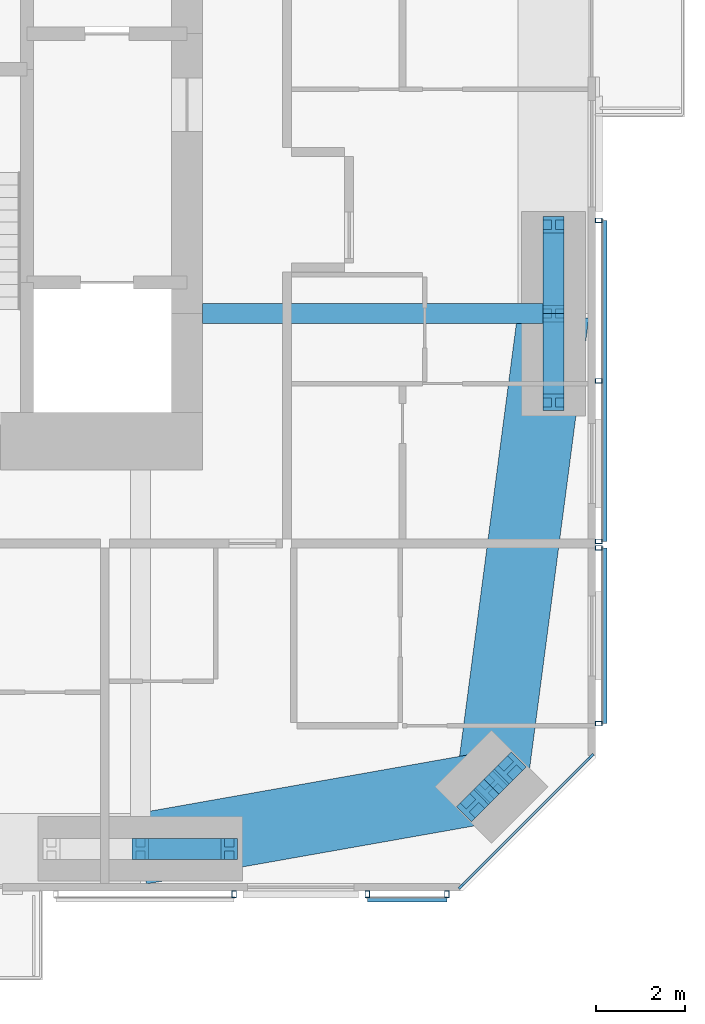
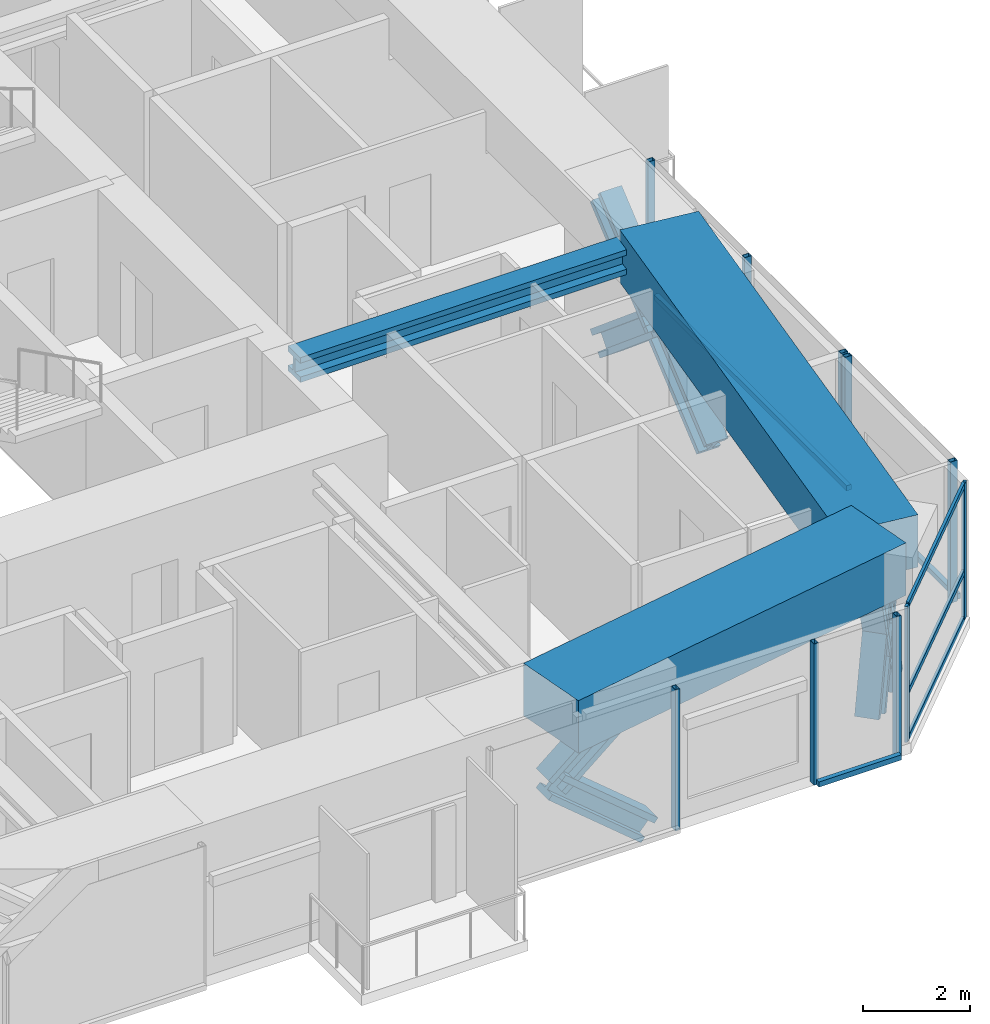
# One storey, part 7 of 23: 26 members, 3 beams, 5 elements without a shape of their own.
"""IFC4 building model written with IfcOpenShell, lengths in metres."""

from ifc_helpers import new_model, si_unit, direction, frame, origin, origin_2d, place, context, subcontext, project, spatial, rectangle, hollow_rectangle, i_section, extrude, material, material_profile, profile_set, type_object, element, aggregate, save


model = new_model("IFC4")

# Units and contexts
model_context = context("Model", 3, precision=1e-05, world=origin(), true_north=direction((0.0, 1.0)))
body_context = subcontext(model_context, "Body", "Model", "MODEL_VIEW")
ifc_project = project(units=[si_unit("LENGTHUNIT", "METRE"), si_unit("AREAUNIT", "SQUARE_METRE"), si_unit("VOLUMEUNIT", "CUBIC_METRE"), si_unit("PLANEANGLEUNIT", "RADIAN"), si_unit("MASSUNIT", "GRAM", prefix="KILO")], contexts=[model_context])

# Site, building, storey
site_placement = place(None, origin())
site = spatial("IfcSite", under=ifc_project, at=site_placement, CompositionType="ELEMENT")
building_placement = place(site_placement, origin())
building = spatial("IfcBuilding", under=site, at=building_placement, Name="Jalousie Tower", CompositionType="ELEMENT")
storey_placement = place(building_placement, frame((0.0, 0.0, 167.75)))
storey = spatial("IfcBuildingStorey", under=building, at=storey_placement, Name="L45", CompositionType="ELEMENT", Elevation=167.75)

# Curtain wall, members
ifc_material_1 = material(Name="Aluminium curtain wall", Category="aluminium")
curtain_wall_type_1 = type_object("IfcCurtainWallType", Name="CORNER WINDOW WALL", PredefinedType="USERDEFINED", material=ifc_material_1)
curtain_wall_1_placement = place(storey_placement, origin())
curtain_wall_1 = element("IfcCurtainWall", 1, at=curtain_wall_1_placement, inside=storey, type_object=curtain_wall_type_1, Name="Corner Window Wall L45 2", ObjectType="CORNER WINDOW WALL", PredefinedType="USERDEFINED")
ifc_material_2 = material(Name="Aluminium mullion", Category="aluminium")
ifc_material_profile_1 = material_profile(ifc_material_2, rectangle(XDim=0.06005859375, YDim=0.14990234375, at=origin_2d()), Name="MULLION 60x150")
ifc_profile_set_1 = profile_set([ifc_material_profile_1], Name="Aluminium mullion")
member_type_1 = type_object("IfcMemberType", Name="CORNER WINDOW WALL MULLION", PredefinedType="MULLION", material=ifc_profile_set_1)
member_1_placement = place(storey_placement, frame((49.969970703125, 0.108642578125, 0.0), z_axis=(0.0, 0.0, 1.0), x_axis=(-0.707106781187, 0.707106781187, 0.0)))
member_1 = element("IfcMember", 2, at=member_1_placement, type_object=member_type_1, Name="CW-C mullion 1", PredefinedType="MULLION", context=body_context, shape_type="SweptSolid", body=[
    extrude(rectangle(XDim=0.06005859375, YDim=0.14990234375, at=origin_2d()), origin(), (0.0, 0.0, 1.0), 3.110107421875),
])
member_2_placement = place(storey_placement, frame((52.891357421875, 3.030029296875, 0.0), z_axis=(0.0, 0.0, 1.0), x_axis=(-0.707106781187, 0.707106781187, 0.0)))
member_2 = element("IfcMember", 3, at=member_2_placement, type_object=member_type_1, Name="CW-C mullion 2", PredefinedType="MULLION", context=body_context, shape_type="SweptSolid", body=[
    extrude(rectangle(XDim=0.06005859375, YDim=0.14990234375, at=origin_2d()), origin(), (0.0, 0.0, 1.0), 3.110107421875),
])
ifc_material_3 = material(Name="Aluminium transom", Category="aluminium")
ifc_material_profile_2 = material_profile(ifc_material_3, rectangle(XDim=0.06005859375, YDim=0.1201171875, at=origin_2d()), Name="TRANSOM 60x120")
ifc_profile_set_2 = profile_set([ifc_material_profile_2], Name="Aluminium transom")
member_type_2 = type_object("IfcMemberType", Name="CORNER WINDOW WALL TRANSOM", PredefinedType="USERDEFINED", material=ifc_profile_set_2)
member_3_placement = place(storey_placement, frame((49.9912109375, 0.1298828125, 0.030029296875), z_axis=(0.707106781187, 0.707106781187, 0.0), x_axis=(-0.707106781187, 0.707106781187, 0.0)))
member_3 = element("IfcMember", 4, at=member_3_placement, type_object=member_type_2, Name="CW-C transom 1.1", ObjectType="TRANSOM", PredefinedType="USERDEFINED", context=body_context, shape_type="SweptSolid", body=[
    extrude(rectangle(XDim=0.06005859375, YDim=0.1201171875, at=origin_2d()), origin(), (0.0, 0.0, 1.0), 4.0712890625),
])
member_4_placement = place(storey_placement, frame((49.9912109375, 0.1298828125, 1.10009765625), z_axis=(0.707106781187, 0.707106781187, 0.0), x_axis=(-0.707106781187, 0.707106781187, 0.0)))
member_4 = element("IfcMember", 5, at=member_4_placement, type_object=member_type_2, Name="CW-C transom 1.2", ObjectType="TRANSOM", PredefinedType="USERDEFINED", context=body_context, shape_type="SweptSolid", body=[
    extrude(rectangle(XDim=0.06005859375, YDim=0.1201171875, at=origin_2d()), origin(), (0.0, 0.0, 1.0), 4.0712890625),
])
member_5_placement = place(storey_placement, frame((49.9912109375, 0.1298828125, 3.080078125), z_axis=(0.707106781187, 0.707106781187, 0.0), x_axis=(-0.707106781187, 0.707106781187, 0.0)))
member_5 = element("IfcMember", 6, at=member_5_placement, type_object=member_type_2, Name="CW-C transom 1.3", ObjectType="TRANSOM", PredefinedType="USERDEFINED", context=body_context, shape_type="SweptSolid", body=[
    extrude(rectangle(XDim=0.06005859375, YDim=0.1201171875, at=origin_2d()), origin(), (0.0, 0.0, 1.0), 4.0712890625),
])
aggregate(curtain_wall_1, [member_1, member_2, member_3, member_4, member_5])

# Beam
ifc_material_4 = material(Name="Steel ASTM A992 Grade 50", Category="steel")
ifc_material_profile_3 = material_profile(ifc_material_4, i_section(OverallWidth=0.45458984375, OverallDepth=0.569091796875, WebThickness=0.077880859375, FlangeThickness=0.124755859375, at=origin_2d()), Name="W14X730")
ifc_profile_set_3 = profile_set([ifc_material_profile_3], Name="Steel ASTM A992 Grade 50")
beam_type_1 = type_object("IfcBeamType", Name="LEAN COLLECTOR W14X730", PredefinedType="BEAM", material=ifc_profile_set_3)
beam_1_placement = place(storey_placement, frame((52.050048828125, 13.0, 2.825439453125), z_axis=(-1.0, 0.0, 0.0), x_axis=(0.0, -1.0, 0.0)))
element("IfcBeam", 7, at=beam_1_placement, inside=storey, type_object=beam_type_1, Name="Lean collector under L46", PredefinedType="BEAM", context=body_context, shape_type="SweptSolid", body=[
    extrude(i_section(OverallWidth=0.45458984375, OverallDepth=0.569091796875, WebThickness=0.077880859375, FlangeThickness=0.124755859375, at=origin_2d()), origin(), (0.0, 0.0, 1.0), 7.900146484375),
])

# Members
ifc_material_5 = material(Name="Steel ASTM A992 Grade 50", Category="steel")
ifc_material_profile_4 = material_profile(ifc_material_5, i_section(OverallWidth=0.472412109375, OverallDepth=0.5791015625, WebThickness=0.094970703125, FlangeThickness=0.1298828125, at=origin_2d()), Name="W14X808")
ifc_profile_set_4 = profile_set([ifc_material_profile_4], Name="Steel ASTM A992 Grade 50")
member_type_3 = type_object("IfcMemberType", Name="PERIMETER BRACE W14X808", PredefinedType="BRACE", material=ifc_profile_set_4)
for number, where, z_axis, x_axis, name in (
    (8, (42.75, 0.949951171875, 1.074951171875), (0.766638753323, 0.0, 0.642078672674), (0.0, 1.0, 0.0), "Perimeter brace 04 L45 part 2"),
    (9, (44.75, 0.949951171875, -0.60009765625), (-0.766638753323, 0.0, 0.642078672674), (0.0, -1.0, 0.0), "Perimeter brace 04 L45 part 3"),
):
    element("IfcMember", number, at=place(storey_placement, frame(where, z_axis=z_axis, x_axis=x_axis)), inside=storey, type_object=member_type_3, Name=name, PredefinedType="BRACE", context=body_context, shape_type="SweptSolid", body=[
        extrude(i_section(OverallWidth=0.472412109375, OverallDepth=0.5791015625, WebThickness=0.094970703125, FlangeThickness=0.1298828125, at=origin_2d()), origin(), (0.0, 0.0, 1.0), 2.60888671875),
    ])
for number, where, z_axis, x_axis, name in (
    (10, (50.227294921875, 1.92431640625, -0.60009765625), (0.238482757655, 0.238345540878, 0.941444303953), (-0.706903267951, 0.707310235866, 0.0), "Perimeter brace 05 L45 part 1"),
    (11, (50.651611328125, 2.348388671875, 1.074951171875), (0.238345540878, 0.238482757655, 0.941444303953), (-0.707310235866, 0.706903267951, 0.0), "Perimeter brace 05 L45 part 2"),
    (12, (51.07568359375, 2.772705078125, -0.60009765625), (-0.238345540878, -0.238482757655, 0.941444303953), (0.707310235866, -0.706903267951, 0.0), "Perimeter brace 05 L45 part 3"),
    (13, (50.651611328125, 2.348388671875, 1.074951171875), (-0.238482757655, -0.238345540878, 0.941444303953), (0.706903267951, -0.707310235866, 0.0), "Perimeter brace 05 L45 part 4"),
):
    element("IfcMember", number, at=place(storey_placement, frame(where, z_axis=z_axis, x_axis=x_axis)), inside=storey, type_object=member_type_3, Name=name, PredefinedType="BRACE", context=body_context, shape_type="SweptSolid", body=[
        extrude(i_section(OverallWidth=0.472412109375, OverallDepth=0.5791015625, WebThickness=0.094970703125, FlangeThickness=0.1298828125, at=origin_2d()), origin(), (0.0, 0.0, 1.0), 1.779296875),
    ])
for number, where, z_axis, x_axis, name in (
    (14, (52.050048828125, 11.0, -0.60009765625), (0.0, 0.766638753323, 0.642078672674), (-1.0, 0.0, 0.0), "Perimeter brace 06 L45 part 1"),
    (15, (52.050048828125, 13.0, 1.074951171875), (0.0, 0.766638753323, 0.642078672674), (-1.0, 0.0, 0.0), "Perimeter brace 06 L45 part 2"),
    (16, (52.050048828125, 15.0, -0.60009765625), (0.0, -0.766638753323, 0.642078672674), (1.0, 0.0, 0.0), "Perimeter brace 06 L45 part 3"),
    (17, (52.050048828125, 13.0, 1.074951171875), (0.0, -0.766638753323, 0.642078672674), (1.0, 0.0, 0.0), "Perimeter brace 06 L45 part 4"),
):
    element("IfcMember", number, at=place(storey_placement, frame(where, z_axis=z_axis, x_axis=x_axis)), inside=storey, type_object=member_type_3, Name=name, PredefinedType="BRACE", context=body_context, shape_type="SweptSolid", body=[
        extrude(i_section(OverallWidth=0.472412109375, OverallDepth=0.5791015625, WebThickness=0.094970703125, FlangeThickness=0.1298828125, at=origin_2d()), origin(), (0.0, 0.0, 1.0), 2.60888671875),
    ])

# Beams
ifc_material_6 = material(Name="Concrete f'c 40 MPa", Category="concrete")
ifc_material_profile_5 = material_profile(ifc_material_6, rectangle(XDim=1.60009765625, YDim=1.199951171875, at=origin_2d()), Name="RC 1600x1200")
ifc_profile_set_5 = profile_set([ifc_material_profile_5], Name="Concrete f'c 40 MPa")
beam_type_2 = type_object("IfcBeamType", Name="RC BEAM 1600x1200", PredefinedType="BEAM", material=ifc_profile_set_5)
beam_2_placement = place(storey_placement, frame((42.75, 0.949951171875, 2.75), z_axis=(0.984697370688, 0.174273027632, 0.0), x_axis=(-0.174273027632, 0.984697370688, 0.0)))
element("IfcBeam", 18, at=beam_2_placement, inside=storey, type_object=beam_type_2, Name="Edge band beam 04-05 under L46", PredefinedType="BEAM", context=body_context, shape_type="SweptSolid", body=[
    extrude(rectangle(XDim=1.60009765625, YDim=1.199951171875, at=origin_2d()), origin(), (0.0, 0.0, 1.0), 8.0244140625),
])
beam_3_placement = place(storey_placement, frame((50.651611328125, 2.348388671875, 2.75), z_axis=(0.130171745558, 0.991491460709, 0.0), x_axis=(-0.991491460709, 0.130171745558, 0.0)))
element("IfcBeam", 19, at=beam_3_placement, inside=storey, type_object=beam_type_2, Name="Edge band beam 05-06 under L46", PredefinedType="BEAM", context=body_context, shape_type="SweptSolid", body=[
    extrude(rectangle(XDim=1.60009765625, YDim=1.199951171875, at=origin_2d()), origin(), (0.0, 0.0, 1.0), 10.742919921875),
])

# Curtain wall, member
ifc_material_7 = material(Name="Perforated aluminium sheet", Category="aluminium")
curtain_wall_type_2 = type_object("IfcCurtainWallType", Name="SOLAR SCREEN SS-1", PredefinedType="USERDEFINED", material=ifc_material_7)
curtain_wall_2_placement = place(storey_placement, origin())
curtain_wall_2 = element("IfcCurtainWall", 20, at=curtain_wall_2_placement, inside=storey, type_object=curtain_wall_type_2, Name="Solar screen L45", ObjectType="SOLAR SCREEN SS-1", PredefinedType="USERDEFINED")
ifc_material_8 = material(Name="Steel ASTM A500 Grade C", Category="steel")
ifc_material_profile_6 = material_profile(ifc_material_8, hollow_rectangle(XDim=0.1015625, YDim=0.15234375, WallThickness=0.00634765625, at=origin_2d()), Name="HSS6X4X1/4")
ifc_profile_set_6 = profile_set([ifc_material_profile_6], Name="Steel ASTM A500 Grade C")
member_type_4 = type_object("IfcMemberType", Name="SOLAR SCREEN SS-1 MULLION", PredefinedType="MULLION", material=ifc_profile_set_6)
member_6_placement = place(storey_placement, frame((44.859375, -0.0712890625, -0.1201171875), z_axis=(0.0, 0.0, 1.0), x_axis=(1.0, 0.0, 0.0)))
member_6 = element("IfcMember", 21, at=member_6_placement, type_object=member_type_4, Name="SS1 post 2", PredefinedType="MULLION", context=body_context, shape_type="SweptSolid", body=[
    extrude(hollow_rectangle(XDim=0.1015625, YDim=0.15234375, WallThickness=0.00634765625, at=origin_2d()), origin(), (0.0, 0.0, 1.0), 3.230224609375),
])
aggregate(curtain_wall_2, [member_6])

# Curtain wall, members
curtain_wall_3_placement = place(storey_placement, origin())
curtain_wall_3 = element("IfcCurtainWall", 22, at=curtain_wall_3_placement, inside=storey, type_object=curtain_wall_type_2, Name="Solar screen L45", ObjectType="SOLAR SCREEN SS-1", PredefinedType="USERDEFINED")
member_7_placement = place(storey_placement, frame((47.859375, -0.0712890625, -0.1201171875), z_axis=(0.0, 0.0, 1.0), x_axis=(1.0, 0.0, 0.0)))
member_7 = element("IfcMember", 23, at=member_7_placement, type_object=member_type_4, Name="SS1 post 1", PredefinedType="MULLION", context=body_context, shape_type="SweptSolid", body=[
    extrude(hollow_rectangle(XDim=0.1015625, YDim=0.15234375, WallThickness=0.00634765625, at=origin_2d()), origin(), (0.0, 0.0, 1.0), 3.230224609375),
])
member_8_placement = place(storey_placement, frame((49.648681640625, -0.0712890625, -0.1201171875), z_axis=(0.0, 0.0, 1.0), x_axis=(1.0, 0.0, 0.0)))
member_8 = element("IfcMember", 24, at=member_8_placement, type_object=member_type_4, Name="SS1 post 2", PredefinedType="MULLION", context=body_context, shape_type="SweptSolid", body=[
    extrude(hollow_rectangle(XDim=0.1015625, YDim=0.15234375, WallThickness=0.00634765625, at=origin_2d()), origin(), (0.0, 0.0, 1.0), 3.230224609375),
])

curtain_wall_4_placement = place(storey_placement, origin())
curtain_wall_4 = element("IfcCurtainWall", 25, at=curtain_wall_4_placement, inside=storey, type_object=curtain_wall_type_2, Name="Solar screen L45", ObjectType="SOLAR SCREEN SS-1", PredefinedType="USERDEFINED")
member_9_placement = place(storey_placement, frame((53.0712890625, 3.771240234375, -0.1201171875), z_axis=(0.0, 0.0, 1.0), x_axis=(0.0, 1.0, 0.0)))
member_9 = element("IfcMember", 26, at=member_9_placement, type_object=member_type_4, Name="SS1 post 1", PredefinedType="MULLION", context=body_context, shape_type="SweptSolid", body=[
    extrude(hollow_rectangle(XDim=0.1015625, YDim=0.15234375, WallThickness=0.00634765625, at=origin_2d()), origin(), (0.0, 0.0, 1.0), 3.230224609375),
])
member_10_placement = place(storey_placement, frame((53.0712890625, 7.72509765625, -0.1201171875), z_axis=(0.0, 0.0, 1.0), x_axis=(0.0, 1.0, 0.0)))
member_10 = element("IfcMember", 27, at=member_10_placement, type_object=member_type_4, Name="SS1 post 2", PredefinedType="MULLION", context=body_context, shape_type="SweptSolid", body=[
    extrude(hollow_rectangle(XDim=0.1015625, YDim=0.15234375, WallThickness=0.00634765625, at=origin_2d()), origin(), (0.0, 0.0, 1.0), 3.230224609375),
])

curtain_wall_5_placement = place(storey_placement, origin())
curtain_wall_5 = element("IfcCurtainWall", 28, at=curtain_wall_5_placement, inside=storey, type_object=curtain_wall_type_2, Name="Solar screen L45", ObjectType="SOLAR SCREEN SS-1", PredefinedType="USERDEFINED")
member_11_placement = place(storey_placement, frame((53.0712890625, 7.875, -0.1201171875), z_axis=(0.0, 0.0, 1.0), x_axis=(0.0, 1.0, 0.0)))
member_11 = element("IfcMember", 29, at=member_11_placement, type_object=member_type_4, Name="SS1 post 1", PredefinedType="MULLION", context=body_context, shape_type="SweptSolid", body=[
    extrude(hollow_rectangle(XDim=0.1015625, YDim=0.15234375, WallThickness=0.00634765625, at=origin_2d()), origin(), (0.0, 0.0, 1.0), 3.230224609375),
])
member_12_placement = place(storey_placement, frame((53.0712890625, 11.487548828125, -0.1201171875), z_axis=(0.0, 0.0, 1.0), x_axis=(0.0, 1.0, 0.0)))
member_12 = element("IfcMember", 30, at=member_12_placement, type_object=member_type_4, Name="SS1 post 2", PredefinedType="MULLION", context=body_context, shape_type="SweptSolid", body=[
    extrude(hollow_rectangle(XDim=0.1015625, YDim=0.15234375, WallThickness=0.00634765625, at=origin_2d()), origin(), (0.0, 0.0, 1.0), 3.230224609375),
])
member_13_placement = place(storey_placement, frame((53.0712890625, 15.10009765625, -0.1201171875), z_axis=(0.0, 0.0, 1.0), x_axis=(0.0, 1.0, 0.0)))
member_13 = element("IfcMember", 31, at=member_13_placement, type_object=member_type_4, Name="SS1 post 3", PredefinedType="MULLION", context=body_context, shape_type="SweptSolid", body=[
    extrude(hollow_rectangle(XDim=0.1015625, YDim=0.15234375, WallThickness=0.00634765625, at=origin_2d()), origin(), (0.0, 0.0, 1.0), 3.230224609375),
])

# Member
ifc_material_9 = material(Name="Extruded aluminium screen rail", Category="aluminium")
ifc_material_profile_7 = material_profile(ifc_material_9, rectangle(XDim=0.1015625, YDim=0.1201171875, at=origin_2d()), Name="RAIL 102x120")
ifc_profile_set_7 = profile_set([ifc_material_profile_7], Name="Extruded aluminium screen rail")
member_type_5 = type_object("IfcMemberType", Name="SOLAR SCREEN SS-1 TRANSOM", PredefinedType="USERDEFINED", material=ifc_profile_set_7)
member_14_placement = place(storey_placement, frame((47.859375, -0.1982421875, -0.06005859375), z_axis=(1.0, 0.0, 0.0), x_axis=(0.0, 1.0, 0.0)))
member_14 = element("IfcMember", 32, at=member_14_placement, type_object=member_type_5, Name="SS1 rail", ObjectType="TRANSOM", PredefinedType="USERDEFINED", context=body_context, shape_type="SweptSolid", body=[
    extrude(rectangle(XDim=0.1015625, YDim=0.1201171875, at=origin_2d()), origin(), (0.0, 0.0, 1.0), 1.789306640625),
])

aggregate(curtain_wall_3, [member_7, member_8, member_14])

member_15_placement = place(storey_placement, frame((53.1982421875, 3.771240234375, -0.06005859375), z_axis=(0.0, 1.0, 0.0), x_axis=(-1.0, 0.0, 0.0)))
member_15 = element("IfcMember", 33, at=member_15_placement, type_object=member_type_5, Name="SS1 rail", ObjectType="TRANSOM", PredefinedType="USERDEFINED", context=body_context, shape_type="SweptSolid", body=[
    extrude(rectangle(XDim=0.1015625, YDim=0.1201171875, at=origin_2d()), origin(), (0.0, 0.0, 1.0), 3.953857421875),
])

aggregate(curtain_wall_4, [member_9, member_10, member_15])

member_16_placement = place(storey_placement, frame((53.1982421875, 7.875, -0.06005859375), z_axis=(0.0, 1.0, 0.0), x_axis=(-1.0, 0.0, 0.0)))
member_16 = element("IfcMember", 34, at=member_16_placement, type_object=member_type_5, Name="SS1 rail", ObjectType="TRANSOM", PredefinedType="USERDEFINED", context=body_context, shape_type="SweptSolid", body=[
    extrude(rectangle(XDim=0.1015625, YDim=0.1201171875, at=origin_2d()), origin(), (0.0, 0.0, 1.0), 7.22509765625),
])

aggregate(curtain_wall_5, [member_11, member_12, member_13, member_16])

save(model, "model.ifc")
